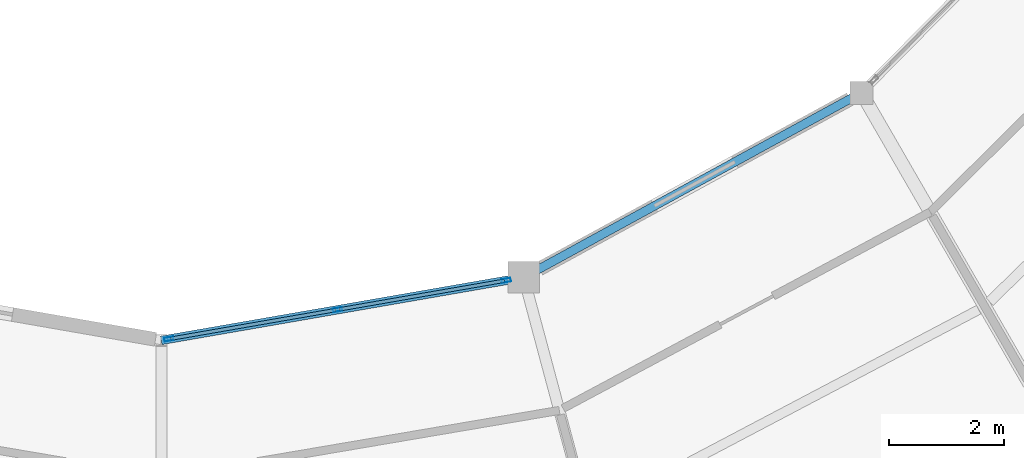
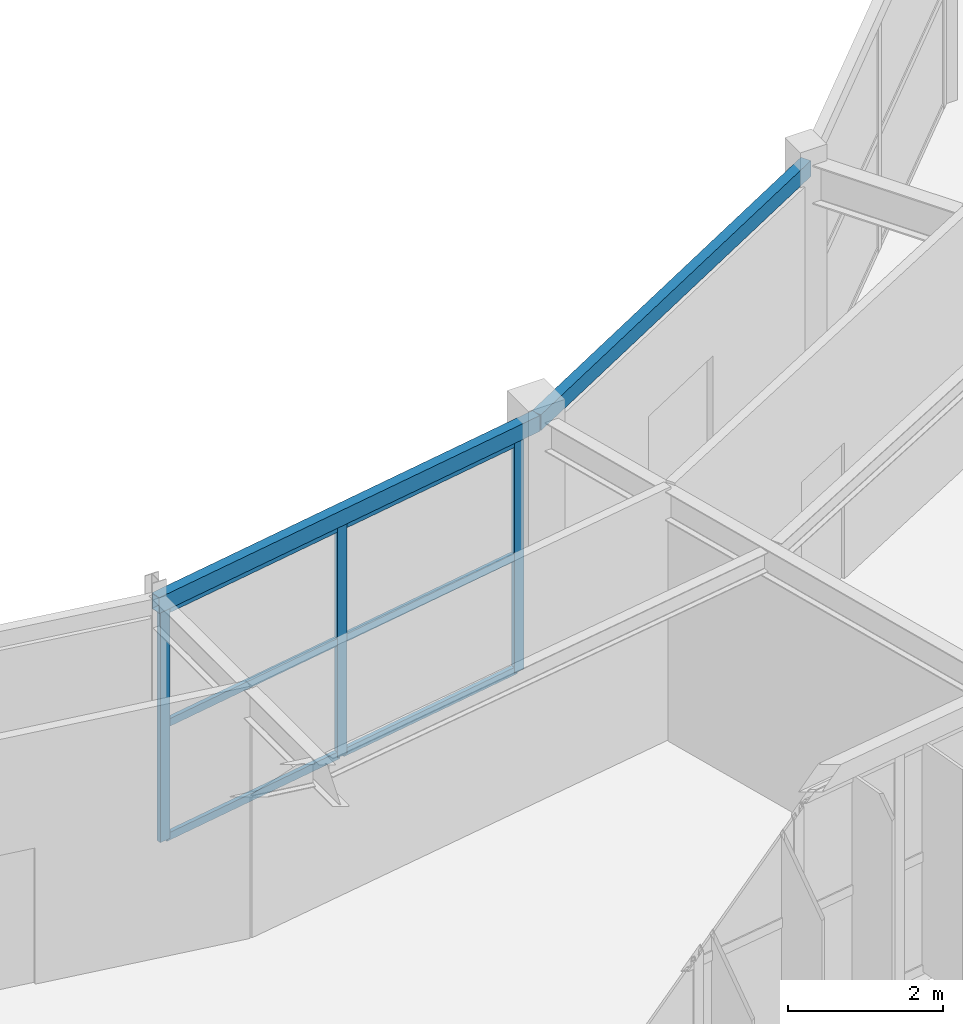
# One storey, part 57 of 157: 9 members, 2 beams, 1 element without a shape of its own.
"""IFC4 building model written with IfcOpenShell, lengths in metres."""

from ifc_helpers import new_model, si_unit, direction, frame, origin, origin_2d, place, context, subcontext, project, spatial, hollow_rectangle, extrude, material, material_profile, profile_set, type_object, element, aggregate, save


model = new_model("IFC4")

# Units and contexts
model_context = context("Model", 3, precision=1e-05, world=origin(), true_north=direction((0.0, 1.0)))
body_context = subcontext(model_context, "Body", "Model", "MODEL_VIEW")
ifc_project = project(units=[si_unit("LENGTHUNIT", "METRE"), si_unit("AREAUNIT", "SQUARE_METRE"), si_unit("VOLUMEUNIT", "CUBIC_METRE"), si_unit("PLANEANGLEUNIT", "RADIAN"), si_unit("MASSUNIT", "GRAM", prefix="KILO")], contexts=[model_context])

# Site, building, storey
site_placement = place(None, origin())
site = spatial("IfcSite", under=ifc_project, at=site_placement, CompositionType="ELEMENT")
building_placement = place(site_placement, origin())
building = spatial("IfcBuilding", under=site, at=building_placement, Name="Karori Crest Natural Sciences Institute", CompositionType="ELEMENT")
storey_placement = place(building_placement, frame((0.0, 0.0, 13.300048828125)))
storey = spatial("IfcBuildingStorey", under=building, at=storey_placement, Name="L03", CompositionType="ELEMENT", Elevation=13.300048828125)

# Beams
ifc_material_1 = material(Name="Hollow structural steel AS/NZS 1163 Grade C350", Category="steel")
ifc_material_profile_1 = material_profile(ifc_material_1, hollow_rectangle(XDim=0.14990234375, YDim=0.25, WallThickness=0.009033203125, at=origin_2d()), Name="RHS250x150x9")
ifc_profile_set_1 = profile_set([ifc_material_profile_1], Name="Hollow structural steel AS/NZS 1163 Grade C350")
beam_type = type_object("IfcBeamType", Name="BT-16", PredefinedType="SPANDREL", material=ifc_profile_set_1)
beam_1_placement = place(storey_placement, frame((66.39990234375, 17.699951171875, 3.7900390625), z_axis=(0.985241372425, 0.17117078624, 0.0), x_axis=(-0.17117078624, 0.985241372425, 0.0)))
element("IfcBeam", 1, at=beam_1_placement, inside=storey, type_object=beam_type, Name="Beam B-0429", PredefinedType="SPANDREL", context=body_context, shape_type="SweptSolid", body=[
    extrude(hollow_rectangle(XDim=0.14990234375, YDim=0.25, WallThickness=0.009033203125, at=origin_2d()), origin(), (0.0, 0.0, 1.0), 6.40966796875),
])
beam_2_placement = place(storey_placement, frame((72.715087890625, 18.797119140625, 3.7900390625), z_axis=(0.877469531616, 0.47963238119, 0.0), x_axis=(-0.47963238119, 0.877469531616, 0.0)))
element("IfcBeam", 2, at=beam_2_placement, inside=storey, type_object=beam_type, Name="Beam B-0433", PredefinedType="SPANDREL", context=body_context, shape_type="SweptSolid", body=[
    extrude(hollow_rectangle(XDim=0.14990234375, YDim=0.25, WallThickness=0.009033203125, at=origin_2d()), origin(), (0.0, 0.0, 1.0), 6.706787109375),
])

# Curtain wall, members
ifc_material_2 = material(Name="Anodised architectural aluminium 6063-T6", Category="aluminium")
curtain_wall_type = type_object("IfcCurtainWallType", Name="CWT-14", PredefinedType="NOTDEFINED", material=ifc_material_2)
curtain_wall_placement = place(storey_placement, origin())
curtain_wall = element("IfcCurtainWall", 3, at=curtain_wall_placement, inside=storey, type_object=curtain_wall_type, Name="Curtain wall CW-0128", PredefinedType="NOTDEFINED")
ifc_material_profile_2 = material_profile(ifc_material_2, hollow_rectangle(XDim=0.06494140625, YDim=0.159912109375, WallThickness=0.00390625, at=origin_2d()), Name="CWM160x65x4")
ifc_profile_set_2 = profile_set([ifc_material_profile_2], Name="Anodised architectural aluminium 6063-T6")
member_type_1 = type_object("IfcMemberType", Name="CWM-01", PredefinedType="MULLION", material=ifc_profile_set_2)
member_1_placement = place(storey_placement, frame((66.532470703125, 17.72314453125, 0.0), z_axis=(0.0, 0.0, 1.0), x_axis=(-0.171173924291, 0.985240827231, 0.0)))
member_1 = element("IfcMember", 4, at=member_1_placement, type_object=member_type_1, Name="CW-0128 mullion 1", PredefinedType="MULLION", context=body_context, shape_type="SweptSolid", body=[
    extrude(hollow_rectangle(XDim=0.06494140625, YDim=0.159912109375, WallThickness=0.00390625, at=origin_2d()), origin(), (0.0, 0.0, 1.0), 3.64990234375),
])
member_2_placement = place(storey_placement, frame((69.471435546875, 18.233642578125, 0.0), z_axis=(0.0, 0.0, 1.0), x_axis=(-0.171173924291, 0.985240827231, 0.0)))
member_2 = element("IfcMember", 5, at=member_2_placement, type_object=member_type_1, Name="CW-0128 mullion 2", PredefinedType="MULLION", context=body_context, shape_type="SweptSolid", body=[
    extrude(hollow_rectangle(XDim=0.06494140625, YDim=0.159912109375, WallThickness=0.00390625, at=origin_2d()), origin(), (0.0, 0.0, 1.0), 3.64990234375),
])
member_3_placement = place(storey_placement, frame((72.41015625, 18.744140625, 0.0), z_axis=(0.0, 0.0, 1.0), x_axis=(-0.171173924291, 0.985240827231, 0.0)))
member_3 = element("IfcMember", 6, at=member_3_placement, type_object=member_type_1, Name="CW-0128 mullion 3", PredefinedType="MULLION", context=body_context, shape_type="SweptSolid", body=[
    extrude(hollow_rectangle(XDim=0.06494140625, YDim=0.159912109375, WallThickness=0.00390625, at=origin_2d()), origin(), (0.0, 0.0, 1.0), 3.64990234375),
])
ifc_material_profile_3 = material_profile(ifc_material_2, hollow_rectangle(XDim=0.06005859375, YDim=0.1201171875, WallThickness=0.00390625, at=origin_2d()), Name="CWT120x60x4")
ifc_profile_set_3 = profile_set([ifc_material_profile_3], Name="Anodised architectural aluminium 6063-T6")
member_type_2 = type_object("IfcMemberType", Name="CWT-TR1", PredefinedType="USERDEFINED", material=ifc_profile_set_3)
member_4_placement = place(storey_placement, frame((66.564453125, 17.728515625, 0.030029296875), z_axis=(0.98523753612, 0.171192866149, 0.0), x_axis=(-0.171192866149, 0.98523753612, 0.0)))
member_4 = element("IfcMember", 7, at=member_4_placement, type_object=member_type_2, Name="CW-0128 transom 1.1", ObjectType="TRANSOM", PredefinedType="USERDEFINED", context=body_context, shape_type="SweptSolid", body=[
    extrude(hollow_rectangle(XDim=0.06005859375, YDim=0.1201171875, WallThickness=0.00390625, at=origin_2d()), origin(), (0.0, 0.0, 1.0), 2.917724609375),
])
member_5_placement = place(storey_placement, frame((66.564453125, 17.728515625, 1.824951171875), z_axis=(0.98523753612, 0.171192866149, 0.0), x_axis=(-0.171192866149, 0.98523753612, 0.0)))
member_5 = element("IfcMember", 8, at=member_5_placement, type_object=member_type_2, Name="CW-0128 transom 1.2", ObjectType="TRANSOM", PredefinedType="USERDEFINED", context=body_context, shape_type="SweptSolid", body=[
    extrude(hollow_rectangle(XDim=0.06005859375, YDim=0.1201171875, WallThickness=0.00390625, at=origin_2d()), origin(), (0.0, 0.0, 1.0), 2.917724609375),
])
member_6_placement = place(storey_placement, frame((66.564453125, 17.728515625, 3.619873046875), z_axis=(0.98523753612, 0.171192866149, 0.0), x_axis=(-0.171192866149, 0.98523753612, 0.0)))
member_6 = element("IfcMember", 9, at=member_6_placement, type_object=member_type_2, Name="CW-0128 transom 1.3", ObjectType="TRANSOM", PredefinedType="USERDEFINED", context=body_context, shape_type="SweptSolid", body=[
    extrude(hollow_rectangle(XDim=0.06005859375, YDim=0.1201171875, WallThickness=0.00390625, at=origin_2d()), origin(), (0.0, 0.0, 1.0), 2.917724609375),
])
member_7_placement = place(storey_placement, frame((69.50341796875, 18.2392578125, 0.030029296875), z_axis=(0.98523753612, 0.171192866149, 0.0), x_axis=(-0.171192866149, 0.98523753612, 0.0)))
member_7 = element("IfcMember", 10, at=member_7_placement, type_object=member_type_2, Name="CW-0128 transom 2.1", ObjectType="TRANSOM", PredefinedType="USERDEFINED", context=body_context, shape_type="SweptSolid", body=[
    extrude(hollow_rectangle(XDim=0.06005859375, YDim=0.1201171875, WallThickness=0.00390625, at=origin_2d()), origin(), (0.0, 0.0, 1.0), 2.917724609375),
])
member_8_placement = place(storey_placement, frame((69.50341796875, 18.2392578125, 1.824951171875), z_axis=(0.98523753612, 0.171192866149, 0.0), x_axis=(-0.171192866149, 0.98523753612, 0.0)))
member_8 = element("IfcMember", 11, at=member_8_placement, type_object=member_type_2, Name="CW-0128 transom 2.2", ObjectType="TRANSOM", PredefinedType="USERDEFINED", context=body_context, shape_type="SweptSolid", body=[
    extrude(hollow_rectangle(XDim=0.06005859375, YDim=0.1201171875, WallThickness=0.00390625, at=origin_2d()), origin(), (0.0, 0.0, 1.0), 2.917724609375),
])
member_9_placement = place(storey_placement, frame((69.50341796875, 18.2392578125, 3.619873046875), z_axis=(0.98523753612, 0.171192866149, 0.0), x_axis=(-0.171192866149, 0.98523753612, 0.0)))
member_9 = element("IfcMember", 12, at=member_9_placement, type_object=member_type_2, Name="CW-0128 transom 2.3", ObjectType="TRANSOM", PredefinedType="USERDEFINED", context=body_context, shape_type="SweptSolid", body=[
    extrude(hollow_rectangle(XDim=0.06005859375, YDim=0.1201171875, WallThickness=0.00390625, at=origin_2d()), origin(), (0.0, 0.0, 1.0), 2.917724609375),
])
aggregate(curtain_wall, [member_1, member_2, member_3, member_4, member_5, member_6, member_7, member_8, member_9])

save(model, "model.ifc")
